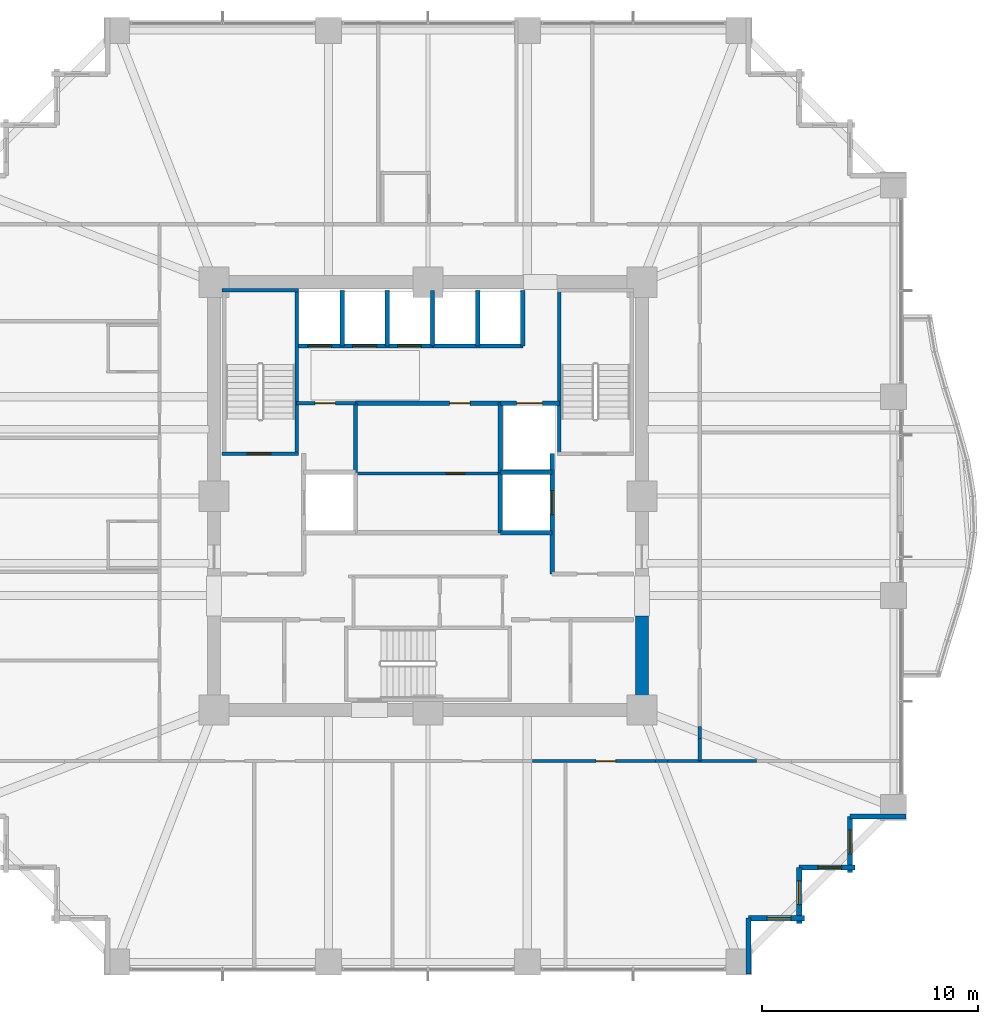
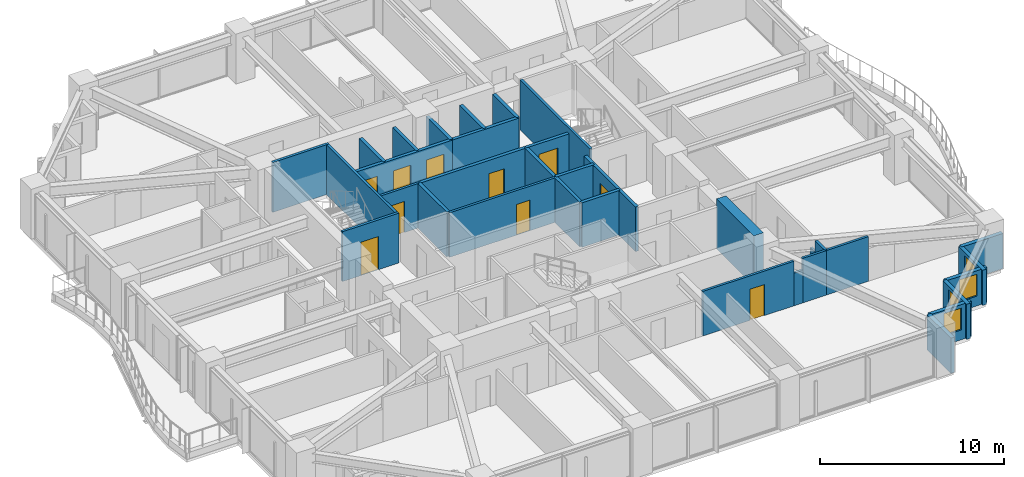
# One storey, part 34 of 38: 34 walls, 10 doors, 4 windows, 14 openings.
"""IFC4 building model written with IfcOpenShell, lengths in metres."""

from ifc_helpers import new_model, si_unit, direction, frame, frame_2d, origin, place, context, subcontext, project, spatial, rectangle, extrude, material, layer, layer_set, type_object, element, fill, save


model = new_model("IFC4")

# Units and contexts
model_context = context("Model", 3, precision=1e-05, world=origin(), true_north=direction((0.0, 1.0)))
body_context = subcontext(model_context, "Body", "Model", "MODEL_VIEW")
ifc_project = project(units=[si_unit("LENGTHUNIT", "METRE"), si_unit("AREAUNIT", "SQUARE_METRE"), si_unit("VOLUMEUNIT", "CUBIC_METRE"), si_unit("PLANEANGLEUNIT", "RADIAN"), si_unit("MASSUNIT", "GRAM", prefix="KILO")], contexts=[model_context])

# Site, building, storey
site_placement = place(None, origin())
site = spatial("IfcSite", under=ifc_project, at=site_placement, CompositionType="ELEMENT")
building_placement = place(site_placement, origin())
building = spatial("IfcBuilding", under=site, at=building_placement, Name="Kolvaren Belvedere", CompositionType="ELEMENT")
storey_placement = place(building_placement, frame((0.0, 0.0, 60.10009765625)))
storey = spatial("IfcBuildingStorey", under=building, at=storey_placement, Name="L17", CompositionType="ELEMENT", Elevation=60.10009765625)

# Wall
ifc_material_1 = material(Name="Concrete C60/75", Category="concrete")
ifc_layer_1 = layer(ifc_material_1, 0.60009765625)
ifc_layer_set_1 = layer_set([ifc_layer_1], Name="Concrete C60/75")
wall_type_1 = type_object("IfcWallType", Name="CW-CORE-600", PredefinedType="SHEAR", material=ifc_layer_set_1)
wall_1_placement = place(storey_placement, frame((9.89990234375, -9.60009765625, 0.0), z_axis=(0.0, 0.0, 1.0), x_axis=(0.0, 1.0, 0.0)))
element("IfcWall", 1, at=wall_1_placement, inside=storey, type_object=wall_type_1, Name="L17 East Core Shear Wall 1", PredefinedType="SHEAR", context=body_context, shape_type="SweptSolid", body=[
    extrude(rectangle(XDim=4.050048828125, YDim=0.60009765625, at=frame_2d((2.02490234375, 0.0))), origin(), (0.0, 0.0, 1.0), 3.2998046875),
])

# Wall, opening, door
ifc_material_2 = material(Name="Concrete C50/60", Category="concrete")
ifc_layer_2 = layer(ifc_material_2, 0.159912109375)
ifc_layer_set_2 = layer_set([ifc_layer_2], Name="Concrete C50/60")
wall_type_2 = type_object("IfcWallType", Name="CW-STAIR-160", PredefinedType="SHEAR", material=ifc_layer_set_2)
wall_2_placement = place(storey_placement, frame((-9.52001953125, 1.969970703125, 0.0), z_axis=(0.0, 0.0, 1.0), x_axis=(1.0, 0.0, 0.0)))
wall_2 = element("IfcWall", 2, at=wall_2_placement, inside=storey, type_object=wall_type_2, Name="L17 Stair ST-1 South Shear Wall", PredefinedType="SHEAR", context=body_context, shape_type="SweptSolid", body=[
    extrude(rectangle(XDim=3.52001953125, YDim=0.159912109375, at=frame_2d((1.760009765625, 0.0))), origin(), (0.0, 0.0, 1.0), 3.2998046875),
])
opening_1_placement = place(wall_2_placement, frame((1.14990234375, 0.0, 0.0)))
opening_1 = element("IfcOpeningElement", 3, at=opening_1_placement, cuts=wall_2, Name="Opening D-FD90", PredefinedType="OPENING", context=body_context, shape_type="SweptSolid", body=[
    extrude(rectangle(XDim=1.10009765625, YDim=2.199951171875, at=frame_2d((0.550048828125, 1.10009765625))), frame((0.0, 0.08984375, 0.0), z_axis=(0.0, -1.0, 0.0), x_axis=(1.0, 0.0, 0.0)), (0.0, 0.0, 1.0), 0.179931640625),
])
ifc_material_3 = material(Name="Painted hollow stainless steel", Category="steel")
door_type_1 = type_object("IfcDoorType", Name="DR-FD90-1100", OperationType="NOTDEFINED", PredefinedType="DOOR", material=ifc_material_3)
door_1_placement = place(opening_1_placement, origin())
door_1 = element("IfcDoor", 4, at=door_1_placement, inside=storey, type_object=door_type_1, Name="L17 Stair ST-1 Fire Door", OperationType="SINGLE_SWING_LEFT", OverallHeight=2.199951171875, OverallWidth=1.10009765625, PredefinedType="DOOR", context=body_context, shape_type="SweptSolid", body=[
    extrude(rectangle(XDim=1.10009765625, YDim=2.199951171875, at=frame_2d((0.550048828125, 1.10009765625))), frame((0.0, 0.02490234375, 0.0), z_axis=(0.0, -1.0, 0.0), x_axis=(1.0, 0.0, 0.0)), (0.0, 0.0, 1.0), 0.050048828125),
])
fill(opening_1, door_1)

# Walls
wall_3_placement = place(storey_placement, frame((-9.52001953125, 9.530029296875, 0.0), z_axis=(0.0, 0.0, 1.0), x_axis=(1.0, 0.0, 0.0)))
element("IfcWall", 5, at=wall_3_placement, inside=storey, type_object=wall_type_2, Name="L17 Stair ST-1 North Shear Wall", PredefinedType="SHEAR", context=body_context, shape_type="SweptSolid", body=[
    extrude(rectangle(XDim=3.52001953125, YDim=0.159912109375, at=frame_2d((1.760009765625, 0.0))), origin(), (0.0, 0.0, 1.0), 3.2998046875),
])
for number, where, z_axis, x_axis, name in (
    (6, (-6.080078125, 1.969970703125, 0.0), (0.0, 0.0, 1.0), (0.0, 1.0, 0.0), "L17 Stair ST-1 East Shear Wall"),
    (7, (6.080078125, 1.969970703125, 0.0), (0.0, 0.0, 1.0), (0.0, 1.0, 0.0), "L17 Stair ST-2 West Shear Wall"),
):
    element("IfcWall", number, at=place(storey_placement, frame(where, z_axis=z_axis, x_axis=x_axis)), inside=storey, type_object=wall_type_2, Name=name, PredefinedType="SHEAR", context=body_context, shape_type="SweptSolid", body=[
        extrude(rectangle(XDim=7.56005859375, YDim=0.159912109375, at=frame_2d((3.780029296875, 0.0))), origin(), (0.0, 0.0, 1.0), 3.2998046875),
    ])

# Wall, opening, door
ifc_material_4 = material(Name="Gypsum fire-rated partition assembly", Category="gypsum")
ifc_layer_3 = layer(ifc_material_4, 0.14990234375)
ifc_layer_set_3 = layer_set([ifc_layer_3], Name="Gypsum fire-rated partition assembly")
wall_type_3 = type_object("IfcWallType", Name="WL-CORR-150", PredefinedType="PARTITIONING", material=ifc_layer_set_3)
wall_4_placement = place(storey_placement, frame((4.83251953125, -12.260009765625, 0.0), z_axis=(0.0, 0.0, 1.0), x_axis=(1.0, 0.0, 0.0)))
wall_4 = element("IfcWall", 8, at=wall_4_placement, inside=storey, type_object=wall_type_3, Name="L17 South Corridor Wall", PredefinedType="PARTITIONING", context=body_context, shape_type="SweptSolid", body=[
    extrude(rectangle(XDim=5.698486328125, YDim=0.14990234375, at=frame_2d((2.84912109375, 0.0))), origin(), (0.0, 0.0, 1.0), 2.949951171875),
])
opening_2_placement = place(wall_4_placement, frame((2.94775390625, 0.0, 0.0)))
opening_2 = element("IfcOpeningElement", 9, at=opening_2_placement, cuts=wall_4, Name="Opening D-INT90", PredefinedType="OPENING", context=body_context, shape_type="SweptSolid", body=[
    extrude(rectangle(XDim=0.89990234375, YDim=2.06005859375, at=frame_2d((0.449951171875, 1.030029296875))), frame((0.0, 0.0849609375, 0.0), z_axis=(0.0, -1.0, 0.0), x_axis=(1.0, 0.0, 0.0)), (0.0, 0.0, 1.0), 0.169921875),
])
ifc_material_5 = material(Name="Stained Pacific white oak", Category="timber")
door_type_2 = type_object("IfcDoorType", Name="DR-INT-900", OperationType="NOTDEFINED", PredefinedType="DOOR", material=ifc_material_5)
door_2_placement = place(opening_2_placement, origin())
door_2 = element("IfcDoor", 10, at=door_2_placement, inside=storey, type_object=door_type_2, Name="L17 Lounge 1704 Door", OperationType="SINGLE_SWING_RIGHT", OverallHeight=2.06005859375, OverallWidth=0.89990234375, PredefinedType="DOOR", context=body_context, shape_type="SweptSolid", body=[
    extrude(rectangle(XDim=0.89990234375, YDim=2.06005859375, at=frame_2d((0.449951171875, 1.030029296875))), frame((0.0, 0.02490234375, 0.0), z_axis=(0.0, -1.0, 0.0), x_axis=(1.0, 0.0, 0.0)), (0.0, 0.0, 1.0), 0.050048828125),
])
fill(opening_2, door_2)

# Walls
wall_5_placement = place(storey_placement, frame((10.531005859375, -12.260009765625, 0.0), z_axis=(0.0, 0.0, 1.0), x_axis=(1.0, 0.0, 0.0)))
element("IfcWall", 11, at=wall_5_placement, inside=storey, type_object=wall_type_3, Name="L17 South Corridor Wall", PredefinedType="PARTITIONING", context=body_context, shape_type="SweptSolid", body=[
    extrude(rectangle(XDim=0.561279296875, YDim=0.14990234375, at=frame_2d((0.28076171875, 0.0))), origin(), (0.0, 0.0, 1.0), 2.161865234375),
])
wall_6_placement = place(storey_placement, frame((11.09228515625, -12.260009765625, 0.0), z_axis=(0.0, 0.0, 1.0), x_axis=(1.0, 0.0, 0.0)))
element("IfcWall", 12, at=wall_6_placement, inside=storey, type_object=wall_type_3, Name="L17 South Corridor Wall", PredefinedType="PARTITIONING", context=body_context, shape_type="SweptSolid", body=[
    extrude(rectangle(XDim=1.48779296875, YDim=0.14990234375, at=frame_2d((0.743896484375, 0.0))), origin(), (0.0, 0.0, 1.0), 2.949951171875),
])
wall_7_placement = place(storey_placement, frame((12.580078125, -12.260009765625, 0.0), z_axis=(0.0, 0.0, 1.0), x_axis=(0.0, 1.0, 0.0)))
element("IfcWall", 13, at=wall_7_placement, inside=storey, type_object=wall_type_3, Name="L17 East Corridor Wall", PredefinedType="PARTITIONING", context=body_context, shape_type="SweptSolid", body=[
    extrude(rectangle(XDim=1.044189453125, YDim=0.14990234375, at=frame_2d((0.52197265625, 0.0))), origin(), (0.0, 0.0, 1.0), 2.949951171875),
])
wall_8_placement = place(storey_placement, frame((12.580078125, -11.2158203125, 0.0), z_axis=(0.0, 0.0, 1.0), x_axis=(0.0, 1.0, 0.0)))
element("IfcWall", 14, at=wall_8_placement, inside=storey, type_object=wall_type_3, Name="L17 East Corridor Wall", PredefinedType="PARTITIONING", context=body_context, shape_type="SweptSolid", body=[
    extrude(rectangle(XDim=0.561279296875, YDim=0.14990234375, at=frame_2d((0.28076171875, 0.0))), origin(), (0.0, 0.0, 1.0), 2.161865234375),
])
ifc_material_6 = material(Name="Insulated pale-metal facade wall assembly", Category="aluminium")
ifc_layer_4 = layer(ifc_material_6, 0.239990234375)
ifc_layer_set_4 = layer_set([ifc_layer_4], Name="Insulated pale-metal facade wall assembly")
wall_type_4 = type_object("IfcWallType", Name="WL-EXT-240", PredefinedType="STANDARD", material=ifc_layer_set_4)
wall_9_placement = place(storey_placement, frame((14.830078125, -19.530029296875, 0.0), z_axis=(0.0, 0.0, 1.0), x_axis=(0.0, -1.0, 0.0)))
element("IfcWall", 15, at=wall_9_placement, inside=storey, type_object=wall_type_4, Name="L17 Serrated Corner Facade Wall 2", PredefinedType="STANDARD", context=body_context, shape_type="SweptSolid", body=[
    extrude(rectangle(XDim=2.590087890625, YDim=0.239990234375, at=frame_2d((1.294921875, 0.0))), origin(), (0.0, 0.0, 1.0), 2.328857421875),
])

# Wall, opening, window
wall_10_placement = place(storey_placement, frame((17.419921875, -19.530029296875, 0.0), z_axis=(0.0, 0.0, 1.0), x_axis=(-1.0, 0.0, 0.0)))
wall_10 = element("IfcWall", 16, at=wall_10_placement, inside=storey, type_object=wall_type_4, Name="L17 Serrated Corner Facade Wall 3", PredefinedType="STANDARD", context=body_context, shape_type="SweptSolid", body=[
    extrude(rectangle(XDim=2.58984375, YDim=0.239990234375, at=frame_2d((1.294921875, 0.0))), origin(), (0.0, 0.0, 1.0), 2.328857421875),
])
opening_3_placement = place(wall_10_placement, frame((0.625, 0.0, 0.64990234375)))
opening_3 = element("IfcOpeningElement", 17, at=opening_3_placement, cuts=wall_10, Name="Opening W-1100", PredefinedType="OPENING", context=body_context, shape_type="SweptSolid", body=[
    extrude(rectangle(XDim=1.10009765625, YDim=1.449951171875, at=frame_2d((0.550048828125, 0.72509765625))), frame((0.0, 0.1298828125, 0.0), z_axis=(0.0, -1.0, 0.0), x_axis=(1.0, 0.0, 0.0)), (0.0, 0.0, 1.0), 0.260009765625),
])
ifc_material_7 = material(Name="Low-iron triple insulated glass", Category="glass")
window_type = type_object("IfcWindowType", Name="WN-CORN-1100", PartitioningType="SINGLE_PANEL", PredefinedType="WINDOW", material=ifc_material_7)
window_1_placement = place(opening_3_placement, origin())
window_1 = element("IfcWindow", 18, at=window_1_placement, inside=storey, type_object=window_type, Name="L17 Serrated Corner Vision Window 3", OverallHeight=1.449951171875, OverallWidth=1.10009765625, PartitioningType="SINGLE_PANEL", PredefinedType="WINDOW", context=body_context, shape_type="SweptSolid", body=[
    extrude(rectangle(XDim=1.10009765625, YDim=1.449951171875, at=frame_2d((0.550048828125, 0.72509765625))), frame((0.0, 0.030029296875, 0.0), z_axis=(0.0, -1.0, 0.0), x_axis=(1.0, 0.0, 0.0)), (0.0, 0.0, 1.0), 0.06005859375),
])
fill(opening_3, window_1)

wall_11_placement = place(storey_placement, frame((17.179931640625, -17.179931640625, 0.0), z_axis=(0.0, 0.0, 1.0), x_axis=(0.0, -1.0, 0.0)))
wall_11 = element("IfcWall", 19, at=wall_11_placement, inside=storey, type_object=wall_type_4, Name="L17 Serrated Corner Facade Wall 4", PredefinedType="STANDARD", context=body_context, shape_type="SweptSolid", body=[
    extrude(rectangle(XDim=2.590087890625, YDim=0.239990234375, at=frame_2d((1.294921875, 0.0))), origin(), (0.0, 0.0, 1.0), 2.328857421875),
])
opening_4_placement = place(wall_11_placement, frame((0.625, 0.0, 0.64990234375)))
opening_4 = element("IfcOpeningElement", 20, at=opening_4_placement, cuts=wall_11, Name="Opening W-1100", PredefinedType="OPENING", context=body_context, shape_type="SweptSolid", body=[
    extrude(rectangle(XDim=1.10009765625, YDim=1.449951171875, at=frame_2d((0.550048828125, 0.72509765625))), frame((0.0, 0.1298828125, 0.0), z_axis=(0.0, -1.0, 0.0), x_axis=(1.0, 0.0, 0.0)), (0.0, 0.0, 1.0), 0.260009765625),
])
window_2_placement = place(opening_4_placement, origin())
window_2 = element("IfcWindow", 21, at=window_2_placement, inside=storey, type_object=window_type, Name="L17 Serrated Corner Vision Window 4", OverallHeight=1.449951171875, OverallWidth=1.10009765625, PartitioningType="SINGLE_PANEL", PredefinedType="WINDOW", context=body_context, shape_type="SweptSolid", body=[
    extrude(rectangle(XDim=1.10009765625, YDim=1.449951171875, at=frame_2d((0.550048828125, 0.72509765625))), frame((0.0, 0.030029296875, 0.0), z_axis=(0.0, -1.0, 0.0), x_axis=(1.0, 0.0, 0.0)), (0.0, 0.0, 1.0), 0.06005859375),
])
fill(opening_4, window_2)

wall_12_placement = place(storey_placement, frame((19.77001953125, -17.179931640625, 0.0), z_axis=(0.0, 0.0, 1.0), x_axis=(-1.0, 0.0, 0.0)))
wall_12 = element("IfcWall", 22, at=wall_12_placement, inside=storey, type_object=wall_type_4, Name="L17 Serrated Corner Facade Wall 5", PredefinedType="STANDARD", context=body_context, shape_type="SweptSolid", body=[
    extrude(rectangle(XDim=2.590087890625, YDim=0.239990234375, at=frame_2d((1.294921875, 0.0))), origin(), (0.0, 0.0, 1.0), 2.328857421875),
])
opening_5_placement = place(wall_12_placement, frame((0.625, 0.0, 0.64990234375)))
opening_5 = element("IfcOpeningElement", 23, at=opening_5_placement, cuts=wall_12, Name="Opening W-1100", PredefinedType="OPENING", context=body_context, shape_type="SweptSolid", body=[
    extrude(rectangle(XDim=1.10009765625, YDim=1.449951171875, at=frame_2d((0.550048828125, 0.72509765625))), frame((0.0, 0.1298828125, 0.0), z_axis=(0.0, -1.0, 0.0), x_axis=(1.0, 0.0, 0.0)), (0.0, 0.0, 1.0), 0.260009765625),
])
window_3_placement = place(opening_5_placement, origin())
window_3 = element("IfcWindow", 24, at=window_3_placement, inside=storey, type_object=window_type, Name="L17 Serrated Corner Vision Window 5", OverallHeight=1.449951171875, OverallWidth=1.10009765625, PartitioningType="SINGLE_PANEL", PredefinedType="WINDOW", context=body_context, shape_type="SweptSolid", body=[
    extrude(rectangle(XDim=1.10009765625, YDim=1.449951171875, at=frame_2d((0.550048828125, 0.72509765625))), frame((0.0, 0.030029296875, 0.0), z_axis=(0.0, -1.0, 0.0), x_axis=(1.0, 0.0, 0.0)), (0.0, 0.0, 1.0), 0.06005859375),
])
fill(opening_5, window_3)

wall_13_placement = place(storey_placement, frame((19.530029296875, -14.830078125, 0.0), z_axis=(0.0, 0.0, 1.0), x_axis=(0.0, -1.0, 0.0)))
wall_13 = element("IfcWall", 25, at=wall_13_placement, inside=storey, type_object=wall_type_4, Name="L17 Serrated Corner Facade Wall 6", PredefinedType="STANDARD", context=body_context, shape_type="SweptSolid", body=[
    extrude(rectangle(XDim=2.58984375, YDim=0.239990234375, at=frame_2d((1.294921875, 0.0))), origin(), (0.0, 0.0, 1.0), 2.328857421875),
])
opening_6_placement = place(wall_13_placement, frame((0.625, 0.0, 0.64990234375)))
opening_6 = element("IfcOpeningElement", 26, at=opening_6_placement, cuts=wall_13, Name="Opening W-1100", PredefinedType="OPENING", context=body_context, shape_type="SweptSolid", body=[
    extrude(rectangle(XDim=1.10009765625, YDim=1.449951171875, at=frame_2d((0.550048828125, 0.72509765625))), frame((0.0, 0.1298828125, 0.0), z_axis=(0.0, -1.0, 0.0), x_axis=(1.0, 0.0, 0.0)), (0.0, 0.0, 1.0), 0.260009765625),
])
window_4_placement = place(opening_6_placement, origin())
window_4 = element("IfcWindow", 27, at=window_4_placement, inside=storey, type_object=window_type, Name="L17 Serrated Corner Vision Window 6", OverallHeight=1.449951171875, OverallWidth=1.10009765625, PartitioningType="SINGLE_PANEL", PredefinedType="WINDOW", context=body_context, shape_type="SweptSolid", body=[
    extrude(rectangle(XDim=1.10009765625, YDim=1.449951171875, at=frame_2d((0.550048828125, 0.72509765625))), frame((0.0, 0.030029296875, 0.0), z_axis=(0.0, -1.0, 0.0), x_axis=(1.0, 0.0, 0.0)), (0.0, 0.0, 1.0), 0.06005859375),
])
fill(opening_6, window_4)

# Wall
wall_14_placement = place(storey_placement, frame((22.1201171875, -14.830078125, 0.0), z_axis=(0.0, 0.0, 1.0), x_axis=(-1.0, 0.0, 0.0)))
element("IfcWall", 28, at=wall_14_placement, inside=storey, type_object=wall_type_4, Name="L17 Serrated Corner Facade Wall 7", PredefinedType="STANDARD", context=body_context, shape_type="SweptSolid", body=[
    extrude(rectangle(XDim=2.590087890625, YDim=0.239990234375, at=frame_2d((1.294921875, 0.0))), origin(), (0.0, 0.0, 1.0), 2.328857421875),
])

# Wall, opening, door
ifc_material_8 = material(Name="Gypsum acoustic partition assembly", Category="gypsum")
ifc_layer_5 = layer(ifc_material_8, 0.14990234375)
ifc_layer_set_5 = layer_set([ifc_layer_5], Name="Gypsum acoustic partition assembly")
wall_type_5 = type_object("IfcWallType", Name="WL-PART-150", PredefinedType="PARTITIONING", material=ifc_layer_set_5)
wall_15_placement = place(storey_placement, frame((-3.35009765625, 1.050048828125, 0.0), z_axis=(0.0, 0.0, 1.0), x_axis=(1.0, 0.0, 0.0)))
wall_15 = element("IfcWall", 29, at=wall_15_placement, inside=storey, type_object=wall_type_5, Name="L17 Central Core H-Divider", PredefinedType="PARTITIONING", context=body_context, shape_type="SweptSolid", body=[
    extrude(rectangle(XDim=6.7001953125, YDim=0.14990234375, at=frame_2d((3.35009765625, 0.0))), origin(), (0.0, 0.0, 1.0), 2.949951171875),
])
opening_7_placement = place(wall_15_placement, frame((4.199951171875, 0.0, 0.0)))
opening_7 = element("IfcOpeningElement", 30, at=opening_7_placement, cuts=wall_15, Name="Opening D-INT85", PredefinedType="OPENING", context=body_context, shape_type="SweptSolid", body=[
    extrude(rectangle(XDim=0.85009765625, YDim=2.030029296875, at=frame_2d((0.425048828125, 1.01513671875))), frame((0.0, 0.0849609375, 0.0), z_axis=(0.0, -1.0, 0.0), x_axis=(1.0, 0.0, 0.0)), (0.0, 0.0, 1.0), 0.169921875),
])
ifc_material_9 = material(Name="Stained Pacific white oak", Category="timber")
door_type_3 = type_object("IfcDoorType", Name="DR-INT-850", OperationType="NOTDEFINED", PredefinedType="DOOR", material=ifc_material_9)
door_3_placement = place(opening_7_placement, origin())
door_3 = element("IfcDoor", 31, at=door_3_placement, inside=storey, type_object=door_type_3, Name="L17 Central Archive Door", OperationType="SINGLE_SWING_LEFT", OverallHeight=2.030029296875, OverallWidth=0.85009765625, PredefinedType="DOOR", context=body_context, shape_type="SweptSolid", body=[
    extrude(rectangle(XDim=0.85009765625, YDim=2.030029296875, at=frame_2d((0.425048828125, 1.01513671875))), frame((0.0, 0.02490234375, 0.0), z_axis=(0.0, -1.0, 0.0), x_axis=(1.0, 0.0, 0.0)), (0.0, 0.0, 1.0), 0.050048828125),
])
fill(opening_7, door_3)

wall_16_placement = place(storey_placement, frame((-6.080078125, 4.300048828125, 0.0), z_axis=(0.0, 0.0, 1.0), x_axis=(1.0, 0.0, 0.0)))
wall_16 = element("IfcWall", 32, at=wall_16_placement, inside=storey, type_object=wall_type_5, Name="L17 NW Service Room North Wall", PredefinedType="PARTITIONING", context=body_context, shape_type="SweptSolid", body=[
    extrude(rectangle(XDim=2.72998046875, YDim=0.14990234375, at=frame_2d((1.364990234375, 0.0))), origin(), (0.0, 0.0, 1.0), 2.949951171875),
])
opening_8_placement = place(wall_16_placement, frame((0.85009765625, 0.0, 0.0)))
opening_8 = element("IfcOpeningElement", 33, at=opening_8_placement, cuts=wall_16, Name="Opening D-FD60", PredefinedType="OPENING", context=body_context, shape_type="SweptSolid", body=[
    extrude(rectangle(XDim=0.949951171875, YDim=2.06005859375, at=frame_2d((0.47509765625, 1.030029296875))), frame((0.0, 0.0849609375, 0.0), z_axis=(0.0, -1.0, 0.0), x_axis=(1.0, 0.0, 0.0)), (0.0, 0.0, 1.0), 0.169921875),
])
ifc_material_10 = material(Name="Acoustic white-oak fire door leaf", Category="timber")
door_type_4 = type_object("IfcDoorType", Name="DR-FD60-950", OperationType="NOTDEFINED", PredefinedType="DOOR", material=ifc_material_10)
door_4_placement = place(opening_8_placement, origin())
door_4 = element("IfcDoor", 34, at=door_4_placement, inside=storey, type_object=door_type_4, Name="L17 NW Core Store Door", OperationType="SINGLE_SWING_RIGHT", OverallHeight=2.06005859375, OverallWidth=0.949951171875, PredefinedType="DOOR", context=body_context, shape_type="SweptSolid", body=[
    extrude(rectangle(XDim=0.949951171875, YDim=2.06005859375, at=frame_2d((0.47509765625, 1.030029296875))), frame((0.0, 0.02490234375, 0.0), z_axis=(0.0, -1.0, 0.0), x_axis=(1.0, 0.0, 0.0)), (0.0, 0.0, 1.0), 0.050048828125),
])
fill(opening_8, door_4)

# Wall
wall_17_placement = place(storey_placement, frame((12.580078125, -12.260009765625, 0.0), z_axis=(0.0, 0.0, 1.0), x_axis=(1.0, 0.0, 0.0)))
element("IfcWall", 35, at=wall_17_placement, inside=storey, type_object=wall_type_5, Name="L17 Wing Divider PW-L17-QSE", PredefinedType="PARTITIONING", context=body_context, shape_type="SweptSolid", body=[
    extrude(rectangle(XDim=2.612548828125, YDim=0.14990234375, at=frame_2d((1.30615234375, 0.0))), origin(), (0.0, 0.0, 1.0), 2.949951171875),
])

# Wall, opening, door
ifc_material_11 = material(Name="Concrete C50/60", Category="concrete")
ifc_layer_6 = layer(ifc_material_11, 0.199951171875)
ifc_layer_set_6 = layer_set([ifc_layer_6], Name="Concrete C50/60")
wall_type_6 = type_object("IfcWallType", Name="WL-SHAFT-200", PredefinedType="SOLIDWALL", material=ifc_layer_set_6)
wall_18_placement = place(storey_placement, frame((5.75, -3.60009765625, 0.0), z_axis=(0.0, 0.0, 1.0), x_axis=(0.0, 1.0, 0.0)))
wall_18 = element("IfcWall", 36, at=wall_18_placement, inside=storey, type_object=wall_type_6, Name="L17 FSAE FS2 Landing Wall", PredefinedType="SOLIDWALL", context=body_context, shape_type="SweptSolid", body=[
    extrude(rectangle(XDim=5.570068359375, YDim=0.199951171875, at=frame_2d((2.78515625, 0.0))), origin(), (0.0, 0.0, 1.0), 2.949951171875),
])
opening_9_placement = place(wall_18_placement, frame((2.75, 0.0, 0.0)))
opening_9 = element("IfcOpeningElement", 37, at=opening_9_placement, cuts=wall_18, Name="Opening LD-11", PredefinedType="OPENING", context=body_context, shape_type="SweptSolid", body=[
    extrude(rectangle(XDim=1.10009765625, YDim=2.199951171875, at=frame_2d((0.550048828125, 1.10009765625))), frame((0.0, 0.10986328125, 0.0), z_axis=(0.0, -1.0, 0.0), x_axis=(1.0, 0.0, 0.0)), (0.0, 0.0, 1.0), 0.219970703125),
])
ifc_material_12 = material(Name="Brushed stainless steel", Category="steel")
door_type_5 = type_object("IfcDoorType", Name="DR-LIFT-1100", OperationType="DOUBLE_DOOR_SLIDING", PredefinedType="DOOR", material=ifc_material_12)
door_5_placement = place(opening_9_placement, origin())
door_5 = element("IfcDoor", 38, at=door_5_placement, inside=storey, type_object=door_type_5, Name="L17 Firefighting Lift FS2 Landing Door", OperationType="DOUBLE_DOOR_SLIDING", OverallHeight=2.199951171875, OverallWidth=1.10009765625, PredefinedType="DOOR", context=body_context, shape_type="SweptSolid", body=[
    extrude(rectangle(XDim=1.10009765625, YDim=2.199951171875, at=frame_2d((0.550048828125, 1.10009765625))), frame((0.0, 0.02490234375, 0.0), z_axis=(0.0, -1.0, 0.0), x_axis=(1.0, 0.0, 0.0)), (0.0, 0.0, 1.0), 0.050048828125),
])
fill(opening_9, door_5)

# Walls
wall_19_placement = place(storey_placement, frame((3.35009765625, -1.699951171875, 0.0), z_axis=(0.0, 0.0, 1.0), x_axis=(0.0, 1.0, 0.0)))
element("IfcWall", 39, at=wall_19_placement, inside=storey, type_object=wall_type_6, Name="L17 FSAE FS2 Back Wall", PredefinedType="SOLIDWALL", context=body_context, shape_type="SweptSolid", body=[
    extrude(rectangle(XDim=2.800048828125, YDim=0.199951171875, at=frame_2d((1.39990234375, 0.0))), origin(), (0.0, 0.0, 1.0), 2.949951171875),
])
for number, where, z_axis, x_axis, name in (
    (40, (3.35009765625, -1.699951171875, 0.0), (0.0, 0.0, 1.0), (1.0, 0.0, 0.0), "L17 FSAE FS2 South Wall"),
    (41, (3.35009765625, 1.10009765625, 0.0), (0.0, 0.0, 1.0), (1.0, 0.0, 0.0), "L17 FSAE FS2 North Wall"),
):
    element("IfcWall", number, at=place(storey_placement, frame(where, z_axis=z_axis, x_axis=x_axis)), inside=storey, type_object=wall_type_6, Name=name, PredefinedType="SOLIDWALL", context=body_context, shape_type="SweptSolid", body=[
        extrude(rectangle(XDim=2.39990234375, YDim=0.199951171875, at=frame_2d((1.199951171875, 0.0))), origin(), (0.0, 0.0, 1.0), 2.949951171875),
    ])

# Wall, opening, door
wall_20_placement = place(storey_placement, frame((3.35009765625, 4.300048828125, 0.0), z_axis=(0.0, 0.0, 1.0), x_axis=(1.0, 0.0, 0.0)))
wall_20 = element("IfcWall", 42, at=wall_20_placement, inside=storey, type_object=wall_type_6, Name="L17 Service Lift SV1 Front Wall", PredefinedType="SOLIDWALL", context=body_context, shape_type="SweptSolid", body=[
    extrude(rectangle(XDim=2.72998046875, YDim=0.199951171875, at=frame_2d((1.364990234375, 0.0))), origin(), (0.0, 0.0, 1.0), 2.949951171875),
])
opening_10_placement = place(wall_20_placement, frame((0.75, 0.0, 0.0)))
opening_10 = element("IfcOpeningElement", 43, at=opening_10_placement, cuts=wall_20, Name="Opening LD-12", PredefinedType="OPENING", context=body_context, shape_type="SweptSolid", body=[
    extrude(rectangle(XDim=1.199951171875, YDim=2.25, at=frame_2d((0.60009765625, 1.125))), frame((0.0, 0.10986328125, 0.0), z_axis=(0.0, -1.0, 0.0), x_axis=(1.0, 0.0, 0.0)), (0.0, 0.0, 1.0), 0.219970703125),
])
ifc_material_13 = material(Name="Brushed stainless steel", Category="steel")
door_type_6 = type_object("IfcDoorType", Name="DR-LIFT-1200", OperationType="DOUBLE_DOOR_SLIDING", PredefinedType="DOOR", material=ifc_material_13)
door_6_placement = place(opening_10_placement, origin())
door_6 = element("IfcDoor", 44, at=door_6_placement, inside=storey, type_object=door_type_6, Name="L17 Service Lift SV1 Landing Door", OperationType="DOUBLE_DOOR_SLIDING", OverallHeight=2.25, OverallWidth=1.199951171875, PredefinedType="DOOR", context=body_context, shape_type="SweptSolid", body=[
    extrude(rectangle(XDim=1.199951171875, YDim=2.25, at=frame_2d((0.60009765625, 1.125))), frame((0.0, 0.02490234375, 0.0), z_axis=(0.0, -1.0, 0.0), x_axis=(1.0, 0.0, 0.0)), (0.0, 0.0, 1.0), 0.050048828125),
])
fill(opening_10, door_6)

# Wall, openings, doors
wall_21_placement = place(storey_placement, frame((-6.080078125, 6.949951171875, 0.0), z_axis=(0.0, 0.0, 1.0), x_axis=(1.0, 0.0, 0.0)))
wall_21 = element("IfcWall", 45, at=wall_21_placement, inside=storey, type_object=wall_type_6, Name="L17 Low-Rise Lift Bank Front Wall", PredefinedType="SOLIDWALL", context=body_context, shape_type="SweptSolid", body=[
    extrude(rectangle(XDim=6.300048828125, YDim=0.199951171875, at=frame_2d((3.14990234375, 0.0))), origin(), (0.0, 0.0, 1.0), 2.949951171875),
])
opening_11_placement = place(wall_21_placement, frame((0.52001953125, 0.0, 0.0)))
opening_11 = element("IfcOpeningElement", 46, at=opening_11_placement, cuts=wall_21, Name="Opening LD-11", PredefinedType="OPENING", context=body_context, shape_type="SweptSolid", body=[
    extrude(rectangle(XDim=1.10009765625, YDim=2.199951171875, at=frame_2d((0.550048828125, 1.10009765625))), frame((0.0, 0.10986328125, 0.0), z_axis=(0.0, -1.0, 0.0), x_axis=(1.0, 0.0, 0.0)), (0.0, 0.0, 1.0), 0.219970703125),
])
opening_12_placement = place(wall_21_placement, frame((2.60009765625, 0.0, 0.0)))
opening_12 = element("IfcOpeningElement", 47, at=opening_12_placement, cuts=wall_21, Name="Opening LD-11", PredefinedType="OPENING", context=body_context, shape_type="SweptSolid", body=[
    extrude(rectangle(XDim=1.10009765625, YDim=2.199951171875, at=frame_2d((0.550048828125, 1.10009765625))), frame((0.0, 0.10986328125, 0.0), z_axis=(0.0, -1.0, 0.0), x_axis=(1.0, 0.0, 0.0)), (0.0, 0.0, 1.0), 0.219970703125),
])
opening_13_placement = place(wall_21_placement, frame((4.679931640625, 0.0, 0.0)))
opening_13 = element("IfcOpeningElement", 48, at=opening_13_placement, cuts=wall_21, Name="Opening LD-11", PredefinedType="OPENING", context=body_context, shape_type="SweptSolid", body=[
    extrude(rectangle(XDim=1.10009765625, YDim=2.199951171875, at=frame_2d((0.550048828125, 1.10009765625))), frame((0.0, 0.10986328125, 0.0), z_axis=(0.0, -1.0, 0.0), x_axis=(1.0, 0.0, 0.0)), (0.0, 0.0, 1.0), 0.219970703125),
])
door_7_placement = place(opening_11_placement, origin())
door_7 = element("IfcDoor", 49, at=door_7_placement, inside=storey, type_object=door_type_5, Name="L17 Passenger Lift P1 Landing Door", OperationType="DOUBLE_DOOR_SLIDING", OverallHeight=2.199951171875, OverallWidth=1.10009765625, PredefinedType="DOOR", context=body_context, shape_type="SweptSolid", body=[
    extrude(rectangle(XDim=1.10009765625, YDim=2.199951171875, at=frame_2d((0.550048828125, 1.10009765625))), frame((0.0, 0.02490234375, 0.0), z_axis=(0.0, -1.0, 0.0), x_axis=(1.0, 0.0, 0.0)), (0.0, 0.0, 1.0), 0.050048828125),
])
fill(opening_11, door_7)
door_8_placement = place(opening_12_placement, origin())
door_8 = element("IfcDoor", 50, at=door_8_placement, inside=storey, type_object=door_type_5, Name="L17 Passenger Lift P2 Landing Door", OperationType="DOUBLE_DOOR_SLIDING", OverallHeight=2.199951171875, OverallWidth=1.10009765625, PredefinedType="DOOR", context=body_context, shape_type="SweptSolid", body=[
    extrude(rectangle(XDim=1.10009765625, YDim=2.199951171875, at=frame_2d((0.550048828125, 1.10009765625))), frame((0.0, 0.02490234375, 0.0), z_axis=(0.0, -1.0, 0.0), x_axis=(1.0, 0.0, 0.0)), (0.0, 0.0, 1.0), 0.050048828125),
])
fill(opening_12, door_8)
door_9_placement = place(opening_13_placement, origin())
door_9 = element("IfcDoor", 51, at=door_9_placement, inside=storey, type_object=door_type_5, Name="L17 Passenger Lift P3 Landing Door", OperationType="DOUBLE_DOOR_SLIDING", OverallHeight=2.199951171875, OverallWidth=1.10009765625, PredefinedType="DOOR", context=body_context, shape_type="SweptSolid", body=[
    extrude(rectangle(XDim=1.10009765625, YDim=2.199951171875, at=frame_2d((0.550048828125, 1.10009765625))), frame((0.0, 0.02490234375, 0.0), z_axis=(0.0, -1.0, 0.0), x_axis=(1.0, 0.0, 0.0)), (0.0, 0.0, 1.0), 0.050048828125),
])
fill(opening_13, door_9)

# Walls
for number, where, z_axis, x_axis, name in (
    (52, (-3.969970703125, 6.949951171875, 0.0), (0.0, 0.0, 1.0), (0.0, 1.0, 0.0), "L17 Low-Rise Hoistway Divider 1"),
    (53, (-1.889892578125, 6.949951171875, 0.0), (0.0, 0.0, 1.0), (0.0, 1.0, 0.0), "L17 Low-Rise Hoistway Divider 2"),
    (54, (0.2099609375, 6.949951171875, 0.0), (0.0, 0.0, 1.0), (0.0, 1.0, 0.0), "L17 Low-Rise Hoistway Divider 3"),
):
    element("IfcWall", number, at=place(storey_placement, frame(where, z_axis=z_axis, x_axis=x_axis)), inside=storey, type_object=wall_type_6, Name=name, PredefinedType="SOLIDWALL", context=body_context, shape_type="SweptSolid", body=[
        extrude(rectangle(XDim=2.570068359375, YDim=0.199951171875, at=frame_2d((1.28515625, 0.0))), origin(), (0.0, 0.0, 1.0), 2.949951171875),
    ])
wall_22_placement = place(storey_placement, frame((0.219970703125, 6.949951171875, 0.0), z_axis=(0.0, 0.0, 1.0), x_axis=(1.0, 0.0, 0.0)))
element("IfcWall", 55, at=wall_22_placement, inside=storey, type_object=wall_type_6, Name="L17 Express Shuttle Hoistway Wall", PredefinedType="SOLIDWALL", context=body_context, shape_type="SweptSolid", body=[
    extrude(rectangle(XDim=4.179931640625, YDim=0.199951171875, at=frame_2d((2.08984375, 0.0))), origin(), (0.0, 0.0, 1.0), 2.949951171875),
])
for number, where, z_axis, x_axis, name in (
    (56, (4.3798828125, 6.949951171875, 0.0), (0.0, 0.0, 1.0), (0.0, 1.0, 0.0), "L17 Express Shuttle East Wall"),
    (57, (2.31005859375, 6.949951171875, 0.0), (0.0, 0.0, 1.0), (0.0, 1.0, 0.0), "L17 Express Shuttle Divider"),
):
    element("IfcWall", number, at=place(storey_placement, frame(where, z_axis=z_axis, x_axis=x_axis)), inside=storey, type_object=wall_type_6, Name=name, PredefinedType="SOLIDWALL", context=body_context, shape_type="SweptSolid", body=[
        extrude(rectangle(XDim=2.570068359375, YDim=0.199951171875, at=frame_2d((1.28515625, 0.0))), origin(), (0.0, 0.0, 1.0), 2.949951171875),
    ])

# Wall, opening, door
wall_23_placement = place(storey_placement, frame((-3.35009765625, 4.300048828125, 0.0), z_axis=(0.0, 0.0, 1.0), x_axis=(1.0, 0.0, 0.0)))
wall_23 = element("IfcWall", 58, at=wall_23_placement, inside=storey, type_object=wall_type_6, Name="L17 Central Core Room North Wall", PredefinedType="SOLIDWALL", context=body_context, shape_type="SweptSolid", body=[
    extrude(rectangle(XDim=6.7001953125, YDim=0.199951171875, at=frame_2d((3.35009765625, 0.0))), origin(), (0.0, 0.0, 1.0), 2.949951171875),
])
opening_14_placement = place(wall_23_placement, frame((4.35009765625, 0.0, 0.0)))
opening_14 = element("IfcOpeningElement", 59, at=opening_14_placement, cuts=wall_23, Name="Opening D-FD60", PredefinedType="OPENING", context=body_context, shape_type="SweptSolid", body=[
    extrude(rectangle(XDim=0.949951171875, YDim=2.06005859375, at=frame_2d((0.47509765625, 1.030029296875))), frame((0.0, 0.10986328125, 0.0), z_axis=(0.0, -1.0, 0.0), x_axis=(1.0, 0.0, 0.0)), (0.0, 0.0, 1.0), 0.219970703125),
])
door_10_placement = place(opening_14_placement, origin())
door_10 = element("IfcDoor", 60, at=door_10_placement, inside=storey, type_object=door_type_4, Name="L17 Central Core Controls Door", OperationType="SINGLE_SWING_LEFT", OverallHeight=2.06005859375, OverallWidth=0.949951171875, PredefinedType="DOOR", context=body_context, shape_type="SweptSolid", body=[
    extrude(rectangle(XDim=0.949951171875, YDim=2.06005859375, at=frame_2d((0.47509765625, 1.030029296875))), frame((0.0, 0.02490234375, 0.0), z_axis=(0.0, -1.0, 0.0), x_axis=(1.0, 0.0, 0.0)), (0.0, 0.0, 1.0), 0.050048828125),
])
fill(opening_14, door_10)

# Walls
for number, where, z_axis, x_axis, name in (
    (61, (-3.35009765625, 1.10009765625, 0.0), (0.0, 0.0, 1.0), (0.0, 1.0, 0.0), "L17 Central Core Room West Wall"),
    (62, (3.35009765625, 1.10009765625, 0.0), (0.0, 0.0, 1.0), (0.0, 1.0, 0.0), "L17 Central Core Room East Wall"),
):
    element("IfcWall", number, at=place(storey_placement, frame(where, z_axis=z_axis, x_axis=x_axis)), inside=storey, type_object=wall_type_6, Name=name, PredefinedType="SOLIDWALL", context=body_context, shape_type="SweptSolid", body=[
        extrude(rectangle(XDim=3.199951171875, YDim=0.199951171875, at=frame_2d((1.60009765625, 0.0))), origin(), (0.0, 0.0, 1.0), 2.949951171875),
    ])

save(model, "model.ifc")
